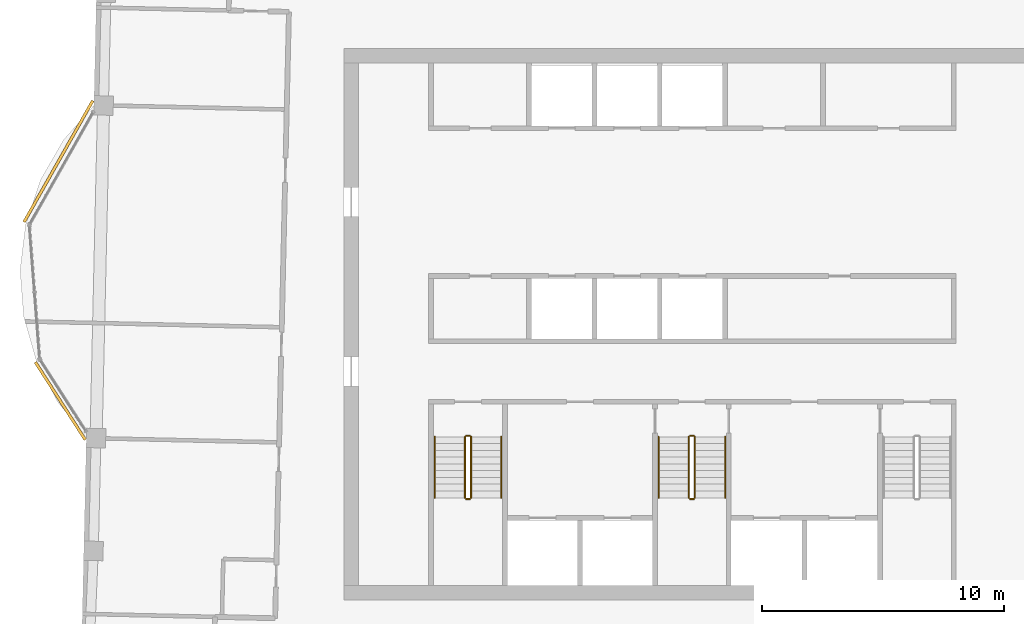
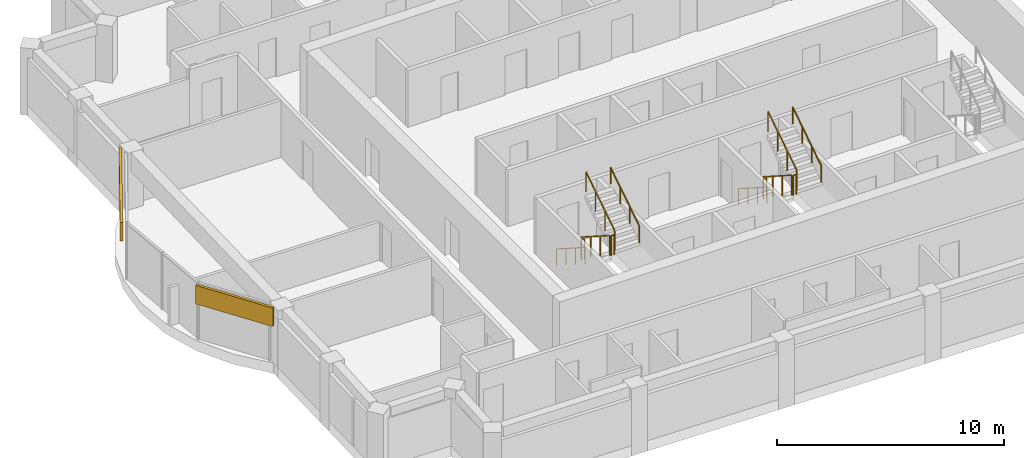
# One storey, part 11 of 12: 12 railings, 2 coverings.
"""IFC4 building model written with IfcOpenShell, lengths in metres."""

from ifc_helpers import new_model, si_unit, direction, frame, frame_2d, origin, origin_2d, place, context, subcontext, project, spatial, rectangle, circle, extrude, material, layer, layer_set, type_object, element, save


model = new_model("IFC4")

# Units and contexts
model_context = context("Model", 3, precision=1e-05, world=origin(), true_north=direction((0.0, 1.0)))
body_context = subcontext(model_context, "Body", "Model", "MODEL_VIEW")
ifc_project = project(units=[si_unit("LENGTHUNIT", "METRE"), si_unit("AREAUNIT", "SQUARE_METRE"), si_unit("VOLUMEUNIT", "CUBIC_METRE"), si_unit("PLANEANGLEUNIT", "RADIAN"), si_unit("MASSUNIT", "GRAM", prefix="KILO")], contexts=[model_context])

# Site, building, storey
site_placement = place(None, origin())
site = spatial("IfcSite", under=ifc_project, at=site_placement, CompositionType="ELEMENT")
building_placement = place(site_placement, origin())
building = spatial("IfcBuilding", under=site, at=building_placement, Name="Mangrove Gate Tower", CompositionType="ELEMENT")
storey_placement = place(building_placement, frame((0.0, 0.0, 342.5)))
storey = spatial("IfcBuildingStorey", under=building, at=storey_placement, Name="L87", CompositionType="ELEMENT", Elevation=342.5)

# Railings
ifc_material_1 = material(Name="Stainless steel 316", Category="steel")
railing_type_1 = type_object("IfcRailingType", Name="Core stair guard 1100", PredefinedType="GUARDRAIL", material=ifc_material_1)
railing_1_placement = place(storey_placement, frame((-9.39990234375, -4.64990234375, 0.179931640625)))
element("IfcRailing", 1, at=railing_1_placement, inside=storey, type_object=railing_type_1, Name="L87 ST1 stair guard 1", PredefinedType="GUARDRAIL", context=body_context, shape_type="SweptSolid", body=[
    extrude(rectangle(XDim=0.048095703125, YDim=0.048095703125, at=origin_2d()), frame((0.0, 0.0, 1.076171875), z_axis=(0.0, -0.841162588446, 0.540782303519), x_axis=(1.0, 0.0, 0.0)), (0.0, 0.0, 1.0), 2.995849609375),
    extrude(rectangle(XDim=0.0419921875, YDim=0.0419921875, at=origin_2d()), origin(), (0.0, 0.0, 1.0), 1.052001953125),
    extrude(rectangle(XDim=0.0419921875, YDim=0.0419921875, at=origin_2d()), frame((0.0, -0.840087890625, 0.5400390625)), (0.0, 0.0, 1.0), 1.052001953125),
    extrude(rectangle(XDim=0.0419921875, YDim=0.0419921875, at=origin_2d()), frame((0.0, -1.679931640625, 1.080078125)), (0.0, 0.0, 1.0), 1.052001953125),
    extrude(rectangle(XDim=0.0419921875, YDim=0.0419921875, at=origin_2d()), frame((0.0, -2.52001953125, 1.6201171875)), (0.0, 0.0, 1.0), 1.052001953125),
])
railing_2_placement = place(storey_placement, frame((-9.35009765625, -7.219970703125, 1.800048828125)))
element("IfcRailing", 2, at=railing_2_placement, inside=storey, type_object=railing_type_1, Name="L87 ST1 stair guard 2", PredefinedType="GUARDRAIL", context=body_context, shape_type="SweptSolid", body=[
    extrude(rectangle(XDim=0.048095703125, YDim=0.048095703125, at=origin_2d()), frame((0.0, 0.0, 1.076171875), z_axis=(1.0, 0.0, 0.0), x_axis=(0.0, 1.0, 0.0)), (0.0, 0.0, 1.0), 0.150146484375),
    extrude(rectangle(XDim=0.0419921875, YDim=0.0419921875, at=origin_2d()), origin(), (0.0, 0.0, 1.0), 1.052001953125),
    extrude(rectangle(XDim=0.0419921875, YDim=0.0419921875, at=origin_2d()), frame((0.150146484375, 0.0, 0.0)), (0.0, 0.0, 1.0), 1.052001953125),
])
railing_3_placement = place(storey_placement, frame((-9.14990234375, -7.169921875, 1.97998046875)))
element("IfcRailing", 3, at=railing_3_placement, inside=storey, type_object=railing_type_1, Name="L87 ST1 stair guard 3", PredefinedType="GUARDRAIL", context=body_context, shape_type="SweptSolid", body=[
    extrude(rectangle(XDim=0.048095703125, YDim=0.048095703125, at=origin_2d()), frame((0.0, 0.0, 1.076171875), z_axis=(0.0, 0.841162588446, 0.540782303519), x_axis=(-1.0, 0.0, 0.0)), (0.0, 0.0, 1.0), 2.995849609375),
    extrude(rectangle(XDim=0.0419921875, YDim=0.0419921875, at=origin_2d()), origin(), (0.0, 0.0, 1.0), 1.052001953125),
    extrude(rectangle(XDim=0.0419921875, YDim=0.0419921875, at=origin_2d()), frame((0.0, 0.840087890625, 0.5400390625)), (0.0, 0.0, 1.0), 1.052001953125),
    extrude(rectangle(XDim=0.0419921875, YDim=0.0419921875, at=origin_2d()), frame((0.0, 1.679931640625, 1.080078125)), (0.0, 0.0, 1.0), 1.052001953125),
    extrude(rectangle(XDim=0.0419921875, YDim=0.0419921875, at=origin_2d()), frame((0.0, 2.52001953125, 1.6201171875)), (0.0, 0.0, 1.0), 1.052001953125),
])
railing_4_placement = place(storey_placement, frame((-9.35009765625, -4.60009765625, 0.0)))
element("IfcRailing", 4, at=railing_4_placement, inside=storey, type_object=railing_type_1, Name="L87 ST1 stair guard 4", PredefinedType="GUARDRAIL", context=body_context, shape_type="SweptSolid", body=[
    extrude(rectangle(XDim=0.048095703125, YDim=0.048095703125, at=origin_2d()), frame((0.0, 0.0, 1.076171875), z_axis=(1.0, 0.0, 0.0), x_axis=(0.0, 1.0, 0.0)), (0.0, 0.0, 1.0), 0.150146484375),
    extrude(rectangle(XDim=0.0419921875, YDim=0.0419921875, at=origin_2d()), origin(), (0.0, 0.0, 1.0), 1.052001953125),
    extrude(rectangle(XDim=0.0419921875, YDim=0.0419921875, at=origin_2d()), frame((0.150146484375, 0.0, 0.0)), (0.0, 0.0, 1.0), 1.052001953125),
])
railing_5_placement = place(storey_placement, frame((-0.14990234375, -4.64990234375, 0.179931640625)))
element("IfcRailing", 5, at=railing_5_placement, inside=storey, type_object=railing_type_1, Name="L87 ST2 stair guard 1", PredefinedType="GUARDRAIL", context=body_context, shape_type="SweptSolid", body=[
    extrude(rectangle(XDim=0.048095703125, YDim=0.048095703125, at=origin_2d()), frame((0.0, 0.0, 1.076171875), z_axis=(0.0, -0.841162588446, 0.540782303519), x_axis=(1.0, 0.0, 0.0)), (0.0, 0.0, 1.0), 2.995849609375),
    extrude(rectangle(XDim=0.0419921875, YDim=0.0419921875, at=origin_2d()), origin(), (0.0, 0.0, 1.0), 1.052001953125),
    extrude(rectangle(XDim=0.0419921875, YDim=0.0419921875, at=origin_2d()), frame((0.0, -0.840087890625, 0.5400390625)), (0.0, 0.0, 1.0), 1.052001953125),
    extrude(rectangle(XDim=0.0419921875, YDim=0.0419921875, at=origin_2d()), frame((0.0, -1.679931640625, 1.080078125)), (0.0, 0.0, 1.0), 1.052001953125),
    extrude(rectangle(XDim=0.0419921875, YDim=0.0419921875, at=origin_2d()), frame((0.0, -2.52001953125, 1.6201171875)), (0.0, 0.0, 1.0), 1.052001953125),
])
railing_6_placement = place(storey_placement, frame((-0.10009765625, -7.219970703125, 1.800048828125)))
element("IfcRailing", 6, at=railing_6_placement, inside=storey, type_object=railing_type_1, Name="L87 ST2 stair guard 2", PredefinedType="GUARDRAIL", context=body_context, shape_type="SweptSolid", body=[
    extrude(rectangle(XDim=0.048095703125, YDim=0.048095703125, at=origin_2d()), frame((0.0, 0.0, 1.076171875), z_axis=(1.0, 0.0, 0.0), x_axis=(0.0, 1.0, 0.0)), (0.0, 0.0, 1.0), 0.150146484375),
    extrude(rectangle(XDim=0.0419921875, YDim=0.0419921875, at=origin_2d()), origin(), (0.0, 0.0, 1.0), 1.052001953125),
    extrude(rectangle(XDim=0.0419921875, YDim=0.0419921875, at=origin_2d()), frame((0.150146484375, 0.0, 0.0)), (0.0, 0.0, 1.0), 1.052001953125),
])
railing_7_placement = place(storey_placement, frame((0.10009765625, -7.169921875, 1.97998046875)))
element("IfcRailing", 7, at=railing_7_placement, inside=storey, type_object=railing_type_1, Name="L87 ST2 stair guard 3", PredefinedType="GUARDRAIL", context=body_context, shape_type="SweptSolid", body=[
    extrude(rectangle(XDim=0.048095703125, YDim=0.048095703125, at=origin_2d()), frame((0.0, 0.0, 1.076171875), z_axis=(0.0, 0.841162588446, 0.540782303519), x_axis=(-1.0, 0.0, 0.0)), (0.0, 0.0, 1.0), 2.995849609375),
    extrude(rectangle(XDim=0.0419921875, YDim=0.0419921875, at=origin_2d()), origin(), (0.0, 0.0, 1.0), 1.052001953125),
    extrude(rectangle(XDim=0.0419921875, YDim=0.0419921875, at=origin_2d()), frame((0.0, 0.840087890625, 0.5400390625)), (0.0, 0.0, 1.0), 1.052001953125),
    extrude(rectangle(XDim=0.0419921875, YDim=0.0419921875, at=origin_2d()), frame((0.0, 1.679931640625, 1.080078125)), (0.0, 0.0, 1.0), 1.052001953125),
    extrude(rectangle(XDim=0.0419921875, YDim=0.0419921875, at=origin_2d()), frame((0.0, 2.52001953125, 1.6201171875)), (0.0, 0.0, 1.0), 1.052001953125),
])
railing_8_placement = place(storey_placement, frame((-0.10009765625, -4.60009765625, 0.0)))
element("IfcRailing", 8, at=railing_8_placement, inside=storey, type_object=railing_type_1, Name="L87 ST2 stair guard 4", PredefinedType="GUARDRAIL", context=body_context, shape_type="SweptSolid", body=[
    extrude(rectangle(XDim=0.048095703125, YDim=0.048095703125, at=origin_2d()), frame((0.0, 0.0, 1.076171875), z_axis=(1.0, 0.0, 0.0), x_axis=(0.0, 1.0, 0.0)), (0.0, 0.0, 1.0), 0.150146484375),
    extrude(rectangle(XDim=0.0419921875, YDim=0.0419921875, at=origin_2d()), origin(), (0.0, 0.0, 1.0), 1.052001953125),
    extrude(rectangle(XDim=0.0419921875, YDim=0.0419921875, at=origin_2d()), frame((0.150146484375, 0.0, 0.0)), (0.0, 0.0, 1.0), 1.052001953125),
])
ifc_material_2 = material(Name="Stainless steel 316", Category="steel")
railing_type_2 = type_object("IfcRailingType", Name="Core stair handrail 900", PredefinedType="HANDRAIL", material=ifc_material_2)
railing_9_placement = place(storey_placement, frame((-10.64990234375, -4.64990234375, 0.179931640625)))
element("IfcRailing", 9, at=railing_9_placement, inside=storey, type_object=railing_type_2, Name="L87 ST1 stair handrail 1", PredefinedType="HANDRAIL", context=body_context, shape_type="SweptSolid", body=[
    extrude(circle(Radius=0.02392578125, at=origin_2d()), frame((0.0, 0.0, 0.8759765625), z_axis=(0.0, -0.841162588446, 0.540782303519), x_axis=(1.0, 0.0, 0.0)), (0.0, 0.0, 1.0), 2.995849609375),
    extrude(circle(Radius=0.02099609375, at=origin_2d()), origin(), (0.0, 0.0, 1.0), 0.851806640625),
    extrude(circle(Radius=0.02099609375, at=origin_2d()), frame((0.0, -0.840087890625, 0.5400390625)), (0.0, 0.0, 1.0), 0.851806640625),
    extrude(circle(Radius=0.02099609375, at=origin_2d()), frame((0.0, -1.679931640625, 1.080078125)), (0.0, 0.0, 1.0), 0.851806640625),
    extrude(circle(Radius=0.02099609375, at=origin_2d()), frame((0.0, -2.52001953125, 1.6201171875)), (0.0, 0.0, 1.0), 0.851806640625),
])
railing_10_placement = place(storey_placement, frame((-7.89990234375, -7.169921875, 1.97998046875)))
element("IfcRailing", 10, at=railing_10_placement, inside=storey, type_object=railing_type_2, Name="L87 ST1 stair handrail 2", PredefinedType="HANDRAIL", context=body_context, shape_type="SweptSolid", body=[
    extrude(circle(Radius=0.02392578125, at=origin_2d()), frame((0.0, 0.0, 0.8759765625), z_axis=(0.0, 0.841162588446, 0.540782303519), x_axis=(-1.0, 0.0, 0.0)), (0.0, 0.0, 1.0), 2.995849609375),
    extrude(circle(Radius=0.02099609375, at=origin_2d()), origin(), (0.0, 0.0, 1.0), 0.851806640625),
    extrude(circle(Radius=0.02099609375, at=origin_2d()), frame((0.0, 0.840087890625, 0.5400390625)), (0.0, 0.0, 1.0), 0.851806640625),
    extrude(circle(Radius=0.02099609375, at=origin_2d()), frame((0.0, 1.679931640625, 1.080078125)), (0.0, 0.0, 1.0), 0.851806640625),
    extrude(circle(Radius=0.02099609375, at=origin_2d()), frame((0.0, 2.52001953125, 1.6201171875)), (0.0, 0.0, 1.0), 0.851806640625),
])
railing_11_placement = place(storey_placement, frame((-1.39990234375, -4.64990234375, 0.179931640625)))
element("IfcRailing", 11, at=railing_11_placement, inside=storey, type_object=railing_type_2, Name="L87 ST2 stair handrail 1", PredefinedType="HANDRAIL", context=body_context, shape_type="SweptSolid", body=[
    extrude(circle(Radius=0.02392578125, at=origin_2d()), frame((0.0, 0.0, 0.8759765625), z_axis=(0.0, -0.841162588446, 0.540782303519), x_axis=(1.0, 0.0, 0.0)), (0.0, 0.0, 1.0), 2.995849609375),
    extrude(circle(Radius=0.02099609375, at=origin_2d()), origin(), (0.0, 0.0, 1.0), 0.851806640625),
    extrude(circle(Radius=0.02099609375, at=origin_2d()), frame((0.0, -0.840087890625, 0.5400390625)), (0.0, 0.0, 1.0), 0.851806640625),
    extrude(circle(Radius=0.02099609375, at=origin_2d()), frame((0.0, -1.679931640625, 1.080078125)), (0.0, 0.0, 1.0), 0.851806640625),
    extrude(circle(Radius=0.02099609375, at=origin_2d()), frame((0.0, -2.52001953125, 1.6201171875)), (0.0, 0.0, 1.0), 0.851806640625),
])
railing_12_placement = place(storey_placement, frame((1.35009765625, -7.169921875, 1.97998046875)))
element("IfcRailing", 12, at=railing_12_placement, inside=storey, type_object=railing_type_2, Name="L87 ST2 stair handrail 2", PredefinedType="HANDRAIL", context=body_context, shape_type="SweptSolid", body=[
    extrude(circle(Radius=0.02392578125, at=origin_2d()), frame((0.0, 0.0, 0.8759765625), z_axis=(0.0, 0.841162588446, 0.540782303519), x_axis=(-1.0, 0.0, 0.0)), (0.0, 0.0, 1.0), 2.995849609375),
    extrude(circle(Radius=0.02099609375, at=origin_2d()), origin(), (0.0, 0.0, 1.0), 0.851806640625),
    extrude(circle(Radius=0.02099609375, at=origin_2d()), frame((0.0, 0.840087890625, 0.5400390625)), (0.0, 0.0, 1.0), 0.851806640625),
    extrude(circle(Radius=0.02099609375, at=origin_2d()), frame((0.0, 1.679931640625, 1.080078125)), (0.0, 0.0, 1.0), 0.851806640625),
    extrude(circle(Radius=0.02099609375, at=origin_2d()), frame((0.0, 2.52001953125, 1.6201171875)), (0.0, 0.0, 1.0), 0.851806640625),
])

# Coverings
ifc_material_3 = material(Name="Limestone", Category="masonry")
ifc_layer_1 = layer(ifc_material_3, 0.0400390625, Name="Limestone cladding")
ifc_material_4 = material(Name="Stainless steel anchors and cavity", Category="steel")
ifc_layer_2 = layer(ifc_material_4, 0.080078125, Name="Fixing cavity")
ifc_layer_set = layer_set([ifc_layer_1, ifc_layer_2], Name="Joint fascia cladding 120")
covering_type = type_object("IfcCoveringType", Name="Joint fascia cladding 120", PredefinedType="CLADDING", material=ifc_layer_set)
covering_1_placement = place(storey_placement, frame((-24.78369140625, 9.244384765625, 2.050048828125), z_axis=(0.0, 0.0, 1.0), x_axis=(-0.49265875073, -0.870222589531, 0.0)))
element("IfcCovering", 13, at=covering_1_placement, inside=storey, type_object=covering_type, Name="STONE FASCIA L87 W9.L1", PredefinedType="CLADDING", context=body_context, shape_type="SweptSolid", body=[
    extrude(rectangle(XDim=5.763427734375, YDim=0.1201171875, at=frame_2d((2.8818359375, 0.0))), origin(), (0.0, 0.0, 1.0), 1.0),
])
covering_2_placement = place(storey_placement, frame((-27.159912109375, -1.56103515625, 2.050048828125), z_axis=(0.0, 0.0, 1.0), x_axis=(0.540582812851, -0.841290807301, 0.0)))
element("IfcCovering", 14, at=covering_2_placement, inside=storey, type_object=covering_type, Name="STONE FASCIA L87 W9.L2", PredefinedType="CLADDING", context=body_context, shape_type="SweptSolid", body=[
    extrude(rectangle(XDim=3.8125, YDim=0.1201171875, at=frame_2d((1.90625, 0.0))), origin(), (0.0, 0.0, 1.0), 1.0),
])

save(model, "model.ifc")
